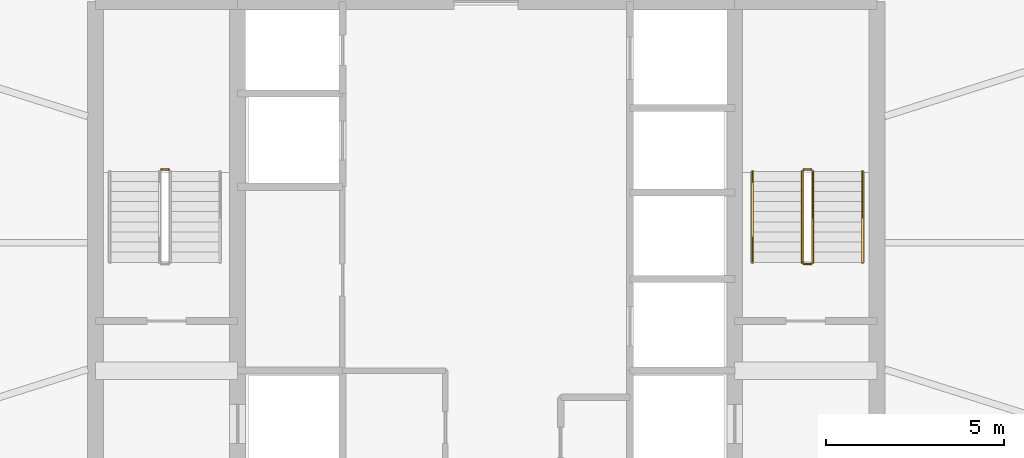
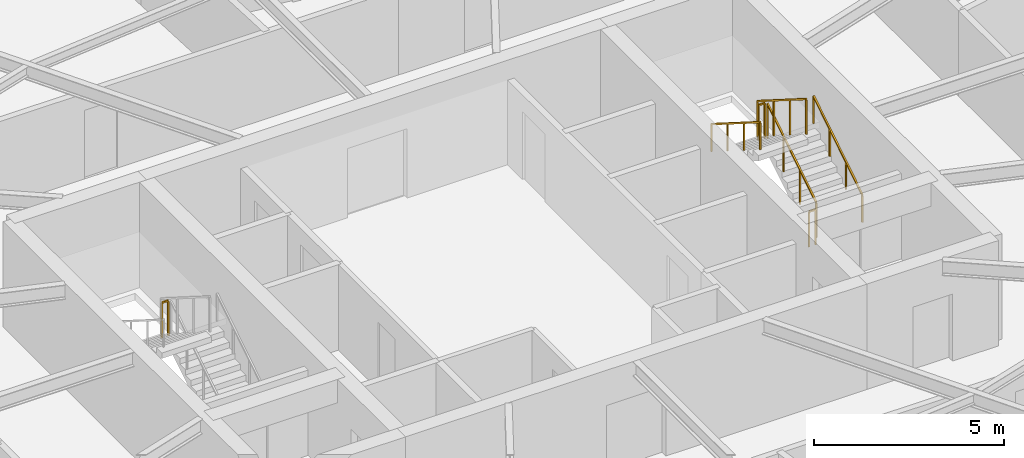
# One storey, part 30 of 30: 7 railings.
"""IFC4 building model written with IfcOpenShell, lengths in metres."""

from ifc_helpers import new_model, si_unit, direction, frame, origin, origin_2d, place, context, subcontext, project, spatial, rectangle, extrude, material, type_object, element, save


model = new_model("IFC4")

# Units and contexts
model_context = context("Model", 3, precision=1e-05, world=origin(), true_north=direction((0.0, 1.0)))
body_context = subcontext(model_context, "Body", "Model", "MODEL_VIEW")
ifc_project = project(units=[si_unit("LENGTHUNIT", "METRE"), si_unit("AREAUNIT", "SQUARE_METRE"), si_unit("VOLUMEUNIT", "CUBIC_METRE"), si_unit("PLANEANGLEUNIT", "RADIAN"), si_unit("MASSUNIT", "GRAM", prefix="KILO")], contexts=[model_context])

# Site, building, storey
site_placement = place(None, origin())
site = spatial("IfcSite", under=ifc_project, at=site_placement, CompositionType="ELEMENT")
building_placement = place(site_placement, origin())
building = spatial("IfcBuilding", under=site, at=building_placement, Name="Sarneth Arch Tower", CompositionType="ELEMENT")
storey_placement = place(building_placement, frame((0.0, 0.0, 168.60009765625)))
storey = spatial("IfcBuildingStorey", under=building, at=storey_placement, Name="L42", CompositionType="ELEMENT", Elevation=168.60009765625)

# Railings
ifc_material_1 = material(Name="Brushed Stainless Steel 304 tubular handrail", Category="steel")
railing_type_1 = type_object("IfcRailingType", Name="RAIL-HANDRAIL-900", PredefinedType="HANDRAIL", material=ifc_material_1)
railing_1_placement = place(storey_placement, frame((58.60009765625, 41.449951171875, 0.179931640625)))
element("IfcRailing", 1, at=railing_1_placement, inside=storey, type_object=railing_type_1, Name="L42 ST-2 stair handrail 1", PredefinedType="HANDRAIL", context=body_context, shape_type="SweptSolid", body=[
    extrude(rectangle(XDim=0.048095703125, YDim=0.048095703125, at=origin_2d()), frame((0.0, 0.0, 0.8759765625), z_axis=(0.0, 0.845502289212, 0.533971796014), x_axis=(-1.0, 0.0, 0.0)), (0.0, 0.0, 1.0), 3.03369140625),
    extrude(rectangle(XDim=0.0419921875, YDim=0.0419921875, at=origin_2d()), origin(), (0.0, 0.0, 1.0), 0.851806640625),
    extrude(rectangle(XDim=0.0419921875, YDim=0.0419921875, at=origin_2d()), frame((0.0, 0.85498046875, 0.5400390625)), (0.0, 0.0, 1.0), 0.851806640625),
    extrude(rectangle(XDim=0.0419921875, YDim=0.0419921875, at=origin_2d()), frame((0.0, 1.7099609375, 1.079833984375)), (0.0, 0.0, 1.0), 0.851806640625),
    extrude(rectangle(XDim=0.0419921875, YDim=0.0419921875, at=origin_2d()), frame((0.0, 2.56494140625, 1.619873046875)), (0.0, 0.0, 1.0), 0.851806640625),
])
railing_2_placement = place(storey_placement, frame((55.5, 44.014892578125, 1.97998046875)))
element("IfcRailing", 2, at=railing_2_placement, inside=storey, type_object=railing_type_1, Name="L42 ST-2 stair handrail 2", PredefinedType="HANDRAIL", context=body_context, shape_type="SweptSolid", body=[
    extrude(rectangle(XDim=0.048095703125, YDim=0.048095703125, at=origin_2d()), frame((0.0, 0.0, 0.8759765625), z_axis=(0.0, -0.845502289212, 0.533971796014), x_axis=(1.0, 0.0, 0.0)), (0.0, 0.0, 1.0), 3.03369140625),
    extrude(rectangle(XDim=0.0419921875, YDim=0.0419921875, at=origin_2d()), origin(), (0.0, 0.0, 1.0), 0.851806640625),
    extrude(rectangle(XDim=0.0419921875, YDim=0.0419921875, at=origin_2d()), frame((0.0, -0.85498046875, 0.5400390625)), (0.0, 0.0, 1.0), 0.851806640625),
    extrude(rectangle(XDim=0.0419921875, YDim=0.0419921875, at=origin_2d()), frame((0.0, -1.7099609375, 1.079833984375)), (0.0, 0.0, 1.0), 0.851806640625),
    extrude(rectangle(XDim=0.0419921875, YDim=0.0419921875, at=origin_2d()), frame((0.0, -2.56494140625, 1.619873046875)), (0.0, 0.0, 1.0), 0.851806640625),
])
ifc_material_2 = material(Name="Painted Steel S275 stair well guard", Category="steel")
railing_type_2 = type_object("IfcRailingType", Name="RAIL-STAIR-GUARD", PredefinedType="GUARDRAIL", material=ifc_material_2)
railing_3_placement = place(storey_placement, frame((39.050048828125, 44.06494140625, 1.7998046875)))
element("IfcRailing", 3, at=railing_3_placement, inside=storey, type_object=railing_type_2, Name="L42 ST-1 stair guard 2", PredefinedType="GUARDRAIL", context=body_context, shape_type="SweptSolid", body=[
    extrude(rectangle(XDim=0.048095703125, YDim=0.048095703125, at=origin_2d()), frame((0.0, 0.0, 1.1259765625), z_axis=(-1.0, 0.0, 0.0), x_axis=(0.0, -1.0, 0.0)), (0.0, 0.0, 1.0), 0.199951171875),
    extrude(rectangle(XDim=0.0419921875, YDim=0.0419921875, at=origin_2d()), origin(), (0.0, 0.0, 1.0), 1.101806640625),
    extrude(rectangle(XDim=0.0419921875, YDim=0.0419921875, at=origin_2d()), frame((-0.199951171875, 0.0, 0.0)), (0.0, 0.0, 1.0), 1.101806640625),
])
railing_4_placement = place(storey_placement, frame((57.199951171875, 41.449951171875, 0.179931640625)))
element("IfcRailing", 4, at=railing_4_placement, inside=storey, type_object=railing_type_2, Name="L42 ST-2 stair guard 1", PredefinedType="GUARDRAIL", context=body_context, shape_type="SweptSolid", body=[
    extrude(rectangle(XDim=0.048095703125, YDim=0.048095703125, at=origin_2d()), frame((0.0, 0.0, 1.1259765625), z_axis=(0.0, 0.845502289212, 0.533971796014), x_axis=(-1.0, 0.0, 0.0)), (0.0, 0.0, 1.0), 3.03369140625),
    extrude(rectangle(XDim=0.0419921875, YDim=0.0419921875, at=origin_2d()), origin(), (0.0, 0.0, 1.0), 1.101806640625),
    extrude(rectangle(XDim=0.0419921875, YDim=0.0419921875, at=origin_2d()), frame((0.0, 0.85498046875, 0.5400390625)), (0.0, 0.0, 1.0), 1.101806640625),
    extrude(rectangle(XDim=0.0419921875, YDim=0.0419921875, at=origin_2d()), frame((0.0, 1.7099609375, 1.079833984375)), (0.0, 0.0, 1.0), 1.101806640625),
    extrude(rectangle(XDim=0.0419921875, YDim=0.0419921875, at=origin_2d()), frame((0.0, 2.56494140625, 1.619873046875)), (0.0, 0.0, 1.0), 1.101806640625),
])
railing_5_placement = place(storey_placement, frame((57.14990234375, 44.06494140625, 1.7998046875)))
element("IfcRailing", 5, at=railing_5_placement, inside=storey, type_object=railing_type_2, Name="L42 ST-2 stair guard 2", PredefinedType="GUARDRAIL", context=body_context, shape_type="SweptSolid", body=[
    extrude(rectangle(XDim=0.048095703125, YDim=0.048095703125, at=origin_2d()), frame((0.0, 0.0, 1.1259765625), z_axis=(-1.0, 0.0, 0.0), x_axis=(0.0, -1.0, 0.0)), (0.0, 0.0, 1.0), 0.199951171875),
    extrude(rectangle(XDim=0.0419921875, YDim=0.0419921875, at=origin_2d()), origin(), (0.0, 0.0, 1.0), 1.101806640625),
    extrude(rectangle(XDim=0.0419921875, YDim=0.0419921875, at=origin_2d()), frame((-0.199951171875, 0.0, 0.0)), (0.0, 0.0, 1.0), 1.101806640625),
])
railing_6_placement = place(storey_placement, frame((56.89990234375, 44.014892578125, 1.97998046875)))
element("IfcRailing", 6, at=railing_6_placement, inside=storey, type_object=railing_type_2, Name="L42 ST-2 stair guard 3", PredefinedType="GUARDRAIL", context=body_context, shape_type="SweptSolid", body=[
    extrude(rectangle(XDim=0.048095703125, YDim=0.048095703125, at=origin_2d()), frame((0.0, 0.0, 1.1259765625), z_axis=(0.0, -0.845502289212, 0.533971796014), x_axis=(1.0, 0.0, 0.0)), (0.0, 0.0, 1.0), 3.03369140625),
    extrude(rectangle(XDim=0.0419921875, YDim=0.0419921875, at=origin_2d()), origin(), (0.0, 0.0, 1.0), 1.101806640625),
    extrude(rectangle(XDim=0.0419921875, YDim=0.0419921875, at=origin_2d()), frame((0.0, -0.85498046875, 0.5400390625)), (0.0, 0.0, 1.0), 1.101806640625),
    extrude(rectangle(XDim=0.0419921875, YDim=0.0419921875, at=origin_2d()), frame((0.0, -1.7099609375, 1.079833984375)), (0.0, 0.0, 1.0), 1.101806640625),
    extrude(rectangle(XDim=0.0419921875, YDim=0.0419921875, at=origin_2d()), frame((0.0, -2.56494140625, 1.619873046875)), (0.0, 0.0, 1.0), 1.101806640625),
])
railing_7_placement = place(storey_placement, frame((57.14990234375, 41.39990234375, 0.0)))
element("IfcRailing", 7, at=railing_7_placement, inside=storey, type_object=railing_type_2, Name="L42 ST-2 stair guard 4", PredefinedType="GUARDRAIL", context=body_context, shape_type="SweptSolid", body=[
    extrude(rectangle(XDim=0.048095703125, YDim=0.048095703125, at=origin_2d()), frame((0.0, 0.0, 1.1259765625), z_axis=(-1.0, 0.0, 0.0), x_axis=(0.0, -1.0, 0.0)), (0.0, 0.0, 1.0), 0.199951171875),
    extrude(rectangle(XDim=0.0419921875, YDim=0.0419921875, at=origin_2d()), origin(), (0.0, 0.0, 1.0), 1.101806640625),
    extrude(rectangle(XDim=0.0419921875, YDim=0.0419921875, at=origin_2d()), frame((-0.199951171875, 0.0, 0.0)), (0.0, 0.0, 1.0), 1.101806640625),
])

save(model, "model.ifc")
